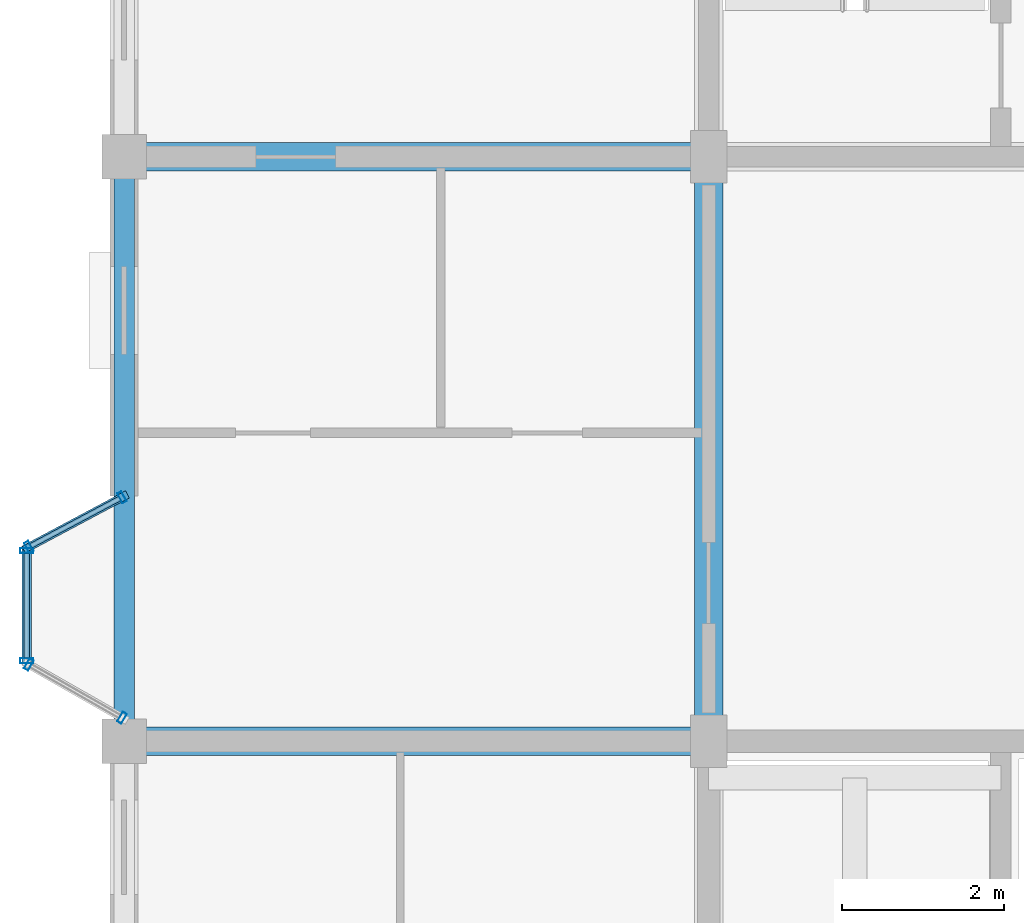
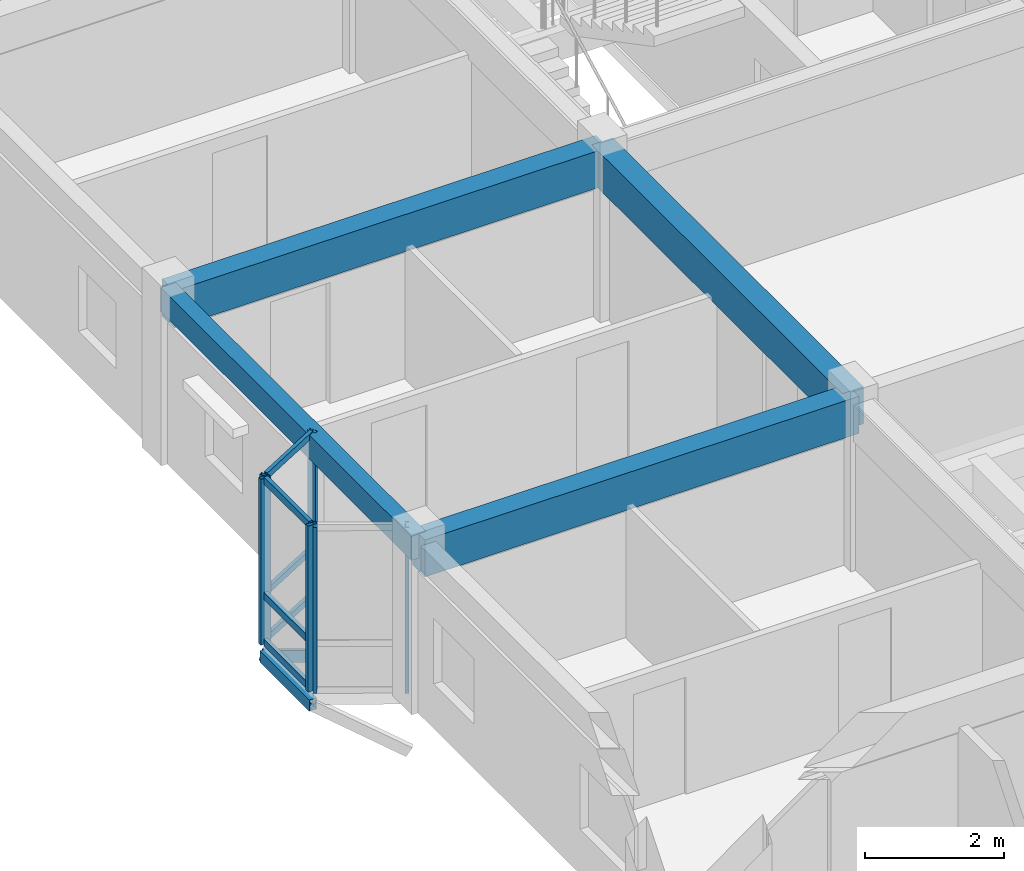
# One storey, part 17 of 77: 14 members, 4 beams, 3 elements without a shape of their own.
"""IFC4 building model written with IfcOpenShell, lengths in metres."""

from ifc_helpers import new_model, si_unit, direction, frame, origin, origin_2d, place, context, subcontext, project, spatial, rectangle, hollow_rectangle, extrude, material, layer, layer_set, material_profile, profile_set, type_object, element, aggregate, save


model = new_model("IFC4")

# Units and contexts
model_context = context("Model", 3, precision=1e-05, world=origin(), true_north=direction((0.0, 1.0)))
body_context = subcontext(model_context, "Body", "Model", "MODEL_VIEW")
ifc_project = project(units=[si_unit("LENGTHUNIT", "METRE"), si_unit("AREAUNIT", "SQUARE_METRE"), si_unit("VOLUMEUNIT", "CUBIC_METRE"), si_unit("PLANEANGLEUNIT", "RADIAN"), si_unit("MASSUNIT", "GRAM", prefix="KILO"), si_unit("THERMODYNAMICTEMPERATUREUNIT", "KELVIN"), si_unit("POWERUNIT", "WATT")], contexts=[model_context])

# Site, building, storey
site_placement = place(None, origin())
site = spatial("IfcSite", under=ifc_project, at=site_placement, CompositionType="ELEMENT")
building_placement = place(site_placement, origin())
building = spatial("IfcBuilding", under=site, at=building_placement, Name="Tavuni Mirador Residences", CompositionType="ELEMENT")
storey_placement = place(building_placement, frame((0.0, 0.0, 10.800048828125)))
storey = spatial("IfcBuildingStorey", under=building, at=storey_placement, Name="L03", CompositionType="ELEMENT", Elevation=10.800048828125)

# Beams
ifc_material_1 = material(Name="Precast concrete C40/50", Category="concrete")
ifc_material_profile_1 = material_profile(ifc_material_1, rectangle(XDim=0.35009765625, YDim=0.64990234375, at=origin_2d()), Name="PC 350x650", Category="concrete")
ifc_profile_set_1 = profile_set([ifc_material_profile_1], Name="Precast concrete C40/50")
beam_type_1 = type_object("IfcBeamType", Name="BT-B650", PredefinedType="BEAM", material=ifc_profile_set_1)
for number, where, z_axis, x_axis, name in (
    (1, (3.60009765625, 79.199951171875, 2.5849609375), (1.0, 0.0, 0.0), (0.0, 1.0, 0.0), "BMX-BLK-B-L03-00-02"),
    (2, (3.60009765625, 86.39990234375, 2.5849609375), (1.0, 0.0, 0.0), (0.0, 1.0, 0.0), "BMX-BLK-B-L03-00-03"),
    (3, (10.800048828125, 79.199951171875, 2.5849609375), (0.0, 1.0, 0.0), (-1.0, 0.0, 0.0), "BMY-BLK-B-L03-01-02"),
):
    element("IfcBeam", number, at=place(storey_placement, frame(where, z_axis=z_axis, x_axis=x_axis)), inside=storey, type_object=beam_type_1, Name=name, PredefinedType="BEAM", context=body_context, shape_type="SweptSolid", body=[
        extrude(rectangle(XDim=0.35009765625, YDim=0.64990234375, at=origin_2d()), origin(), (0.0, 0.0, 1.0), 7.199951171875),
    ])
ifc_material_profile_2 = material_profile(ifc_material_1, rectangle(XDim=0.25, YDim=0.419921875, at=origin_2d()), Name="PC 250x420", Category="concrete")
ifc_profile_set_2 = profile_set([ifc_material_profile_2], Name="Precast concrete C40/50")
beam_type_2 = type_object("IfcBeamType", Name="BT-SP420", PredefinedType="SPANDREL", material=ifc_profile_set_2)
beam_placement = place(storey_placement, frame((3.60009765625, 79.199951171875, 2.699951171875), z_axis=(0.0, 1.0, 0.0), x_axis=(-1.0, 0.0, 0.0)))
element("IfcBeam", 4, at=beam_placement, inside=storey, type_object=beam_type_2, Name="BMY-BLK-B-L03-00-02", PredefinedType="SPANDREL", context=body_context, shape_type="SweptSolid", body=[
    extrude(rectangle(XDim=0.25, YDim=0.419921875, at=origin_2d()), origin(), (0.0, 0.0, 1.0), 7.199951171875),
])

# Curtain wall, members
ifc_material_2 = material(Name="Anodised aluminium", Category="aluminium")
ifc_layer_1 = layer(ifc_material_2, 0.175048828125, Name="Anodised aluminium", Category="aluminium")
ifc_layer_set_1 = layer_set([ifc_layer_1], Name="Anodised aluminium")
curtain_wall_type_1 = type_object("IfcCurtainWallType", Name="CWT-MIR-C", PredefinedType="NOTDEFINED", material=ifc_layer_set_1)
curtain_wall_1_placement = place(storey_placement, origin())
curtain_wall_1 = element("IfcCurtainWall", 5, at=curtain_wall_1_placement, inside=storey, type_object=curtain_wall_type_1, Name="CW-MIR-B-W2-L03-M1", PredefinedType="NOTDEFINED")
ifc_material_profile_3 = material_profile(ifc_material_2, hollow_rectangle(XDim=0.06005859375, YDim=0.139892578125, WallThickness=0.00390625, at=origin_2d()), Name="ALU 60x140x4.0", Category="aluminium")
ifc_profile_set_3 = profile_set([ifc_material_profile_3], Name="Anodised aluminium")
member_type_1 = type_object("IfcMemberType", Name="CWM-140", PredefinedType="MULLION", material=ifc_profile_set_3)
member_1_placement = place(storey_placement, frame((3.573486328125, 82.205810546875, 0.0), z_axis=(0.0, 0.0, 1.0), x_axis=(-0.882352941175, -0.470588235296, 0.0)))
member_1 = element("IfcMember", 6, at=member_1_placement, type_object=member_type_1, Name="CW-03 mullion 1", PredefinedType="MULLION", context=body_context, shape_type="SweptSolid", body=[
    extrude(hollow_rectangle(XDim=0.06005859375, YDim=0.139892578125, WallThickness=0.00390625, at=origin_2d()), origin(), (0.0, 0.0, 1.0), 2.909912109375),
])
member_2_placement = place(storey_placement, frame((2.426513671875, 81.59423828125, 0.0), z_axis=(0.0, 0.0, 1.0), x_axis=(-0.882352941175, -0.470588235296, 0.0)))
member_2 = element("IfcMember", 7, at=member_2_placement, type_object=member_type_1, Name="CW-03 mullion 2", PredefinedType="MULLION", context=body_context, shape_type="SweptSolid", body=[
    extrude(hollow_rectangle(XDim=0.06005859375, YDim=0.139892578125, WallThickness=0.00390625, at=origin_2d()), origin(), (0.0, 0.0, 1.0), 2.909912109375),
])

ifc_layer_2 = layer(ifc_material_2, 0.1650390625, Name="Anodised aluminium", Category="aluminium")
ifc_layer_set_2 = layer_set([ifc_layer_2], Name="Anodised aluminium")
curtain_wall_type_2 = type_object("IfcCurtainWallType", Name="CWT-MIR-A", PredefinedType="NOTDEFINED", material=ifc_layer_set_2)
curtain_wall_2_placement = place(storey_placement, origin())
curtain_wall_2 = element("IfcCurtainWall", 8, at=curtain_wall_2_placement, inside=storey, type_object=curtain_wall_type_2, Name="CW-MIR-B-W2-L03-M2", PredefinedType="NOTDEFINED")
member_3_placement = place(storey_placement, frame((2.426025390625, 80.14501953125, 0.0), z_axis=(0.0, 0.0, 1.0), x_axis=(0.868465738194, -0.495749192217, 0.0)))
member_3 = element("IfcMember", 9, at=member_3_placement, type_object=member_type_1, Name="CW-01 mullion 1", PredefinedType="MULLION", context=body_context, shape_type="SweptSolid", body=[
    extrude(hollow_rectangle(XDim=0.06005859375, YDim=0.139892578125, WallThickness=0.00390625, at=origin_2d()), origin(), (0.0, 0.0, 1.0), 2.909912109375),
])
member_4_placement = place(storey_placement, frame((3.573974609375, 79.489990234375, 0.0), z_axis=(0.0, 0.0, 1.0), x_axis=(0.868465738194, -0.495749192217, 0.0)))
member_4 = element("IfcMember", 10, at=member_4_placement, type_object=member_type_1, Name="CW-01 mullion 2", PredefinedType="MULLION", context=body_context, shape_type="SweptSolid", body=[
    extrude(hollow_rectangle(XDim=0.06005859375, YDim=0.139892578125, WallThickness=0.00390625, at=origin_2d()), origin(), (0.0, 0.0, 1.0), 2.909912109375),
])
aggregate(curtain_wall_2, [member_3, member_4])

ifc_layer_3 = layer(ifc_material_2, 0.159912109375, Name="Anodised aluminium", Category="aluminium")
ifc_layer_set_3 = layer_set([ifc_layer_3], Name="Anodised aluminium")
curtain_wall_type_3 = type_object("IfcCurtainWallType", Name="CWT-MIR-D", PredefinedType="NOTDEFINED", material=ifc_layer_set_3)
curtain_wall_3_placement = place(storey_placement, origin())
curtain_wall_3 = element("IfcCurtainWall", 11, at=curtain_wall_3_placement, inside=storey, type_object=curtain_wall_type_3, Name="CW-MIR-B-W2-L03-MF", PredefinedType="NOTDEFINED")
ifc_material_profile_4 = material_profile(ifc_material_2, hollow_rectangle(XDim=0.06494140625, YDim=0.1650390625, WallThickness=0.00439453125, at=origin_2d()), Name="ALU 65x165x4.5", Category="aluminium")
ifc_profile_set_4 = profile_set([ifc_material_profile_4], Name="Anodised aluminium")
member_type_2 = type_object("IfcMemberType", Name="CWM-165", PredefinedType="MULLION", material=ifc_profile_set_4)
member_5_placement = place(storey_placement, frame((2.39990234375, 81.547607421875, 0.0), z_axis=(0.0, 0.0, 1.0), x_axis=(0.0, -1.0, 0.0)))
member_5 = element("IfcMember", 12, at=member_5_placement, type_object=member_type_2, Name="CW-04 mullion 1", PredefinedType="MULLION", context=body_context, shape_type="SweptSolid", body=[
    extrude(hollow_rectangle(XDim=0.06494140625, YDim=0.1650390625, WallThickness=0.00439453125, at=origin_2d()), origin(), (0.0, 0.0, 1.0), 2.909912109375),
])
member_6_placement = place(storey_placement, frame((2.39990234375, 80.1923828125, 0.0), z_axis=(0.0, 0.0, 1.0), x_axis=(0.0, -1.0, 0.0)))
member_6 = element("IfcMember", 13, at=member_6_placement, type_object=member_type_2, Name="CW-04 mullion 2", PredefinedType="MULLION", context=body_context, shape_type="SweptSolid", body=[
    extrude(hollow_rectangle(XDim=0.06494140625, YDim=0.1650390625, WallThickness=0.00439453125, at=origin_2d()), origin(), (0.0, 0.0, 1.0), 2.909912109375),
])

# Member
ifc_material_profile_5 = material_profile(ifc_material_2, hollow_rectangle(XDim=0.06005859375, YDim=0.110107421875, WallThickness=0.00390625, at=origin_2d()), Name="ALU 60x110x4.0", Category="aluminium")
ifc_profile_set_5 = profile_set([ifc_material_profile_5], Name="Anodised aluminium")
member_type_3 = type_object("IfcMemberType", Name="CWT-110", PredefinedType="USERDEFINED", material=ifc_profile_set_5)
member_7_placement = place(storey_placement, frame((3.547119140625, 82.191650390625, 0.030029296875), z_axis=(-0.882385637708, -0.470526924168, 0.0), x_axis=(0.470526924168, -0.882385637708, 0.0)))
member_7 = element("IfcMember", 14, at=member_7_placement, type_object=member_type_3, Name="CW-03 transom 1.1", ObjectType="TRANSOM", PredefinedType="USERDEFINED", context=body_context, shape_type="SweptSolid", body=[
    extrude(hollow_rectangle(XDim=0.06005859375, YDim=0.110107421875, WallThickness=0.00390625, at=origin_2d()), origin(), (0.0, 0.0, 1.0), 1.239990234375),
])

member_8_placement = place(storey_placement, frame((3.547119140625, 82.191650390625, 0.849853515625), z_axis=(-0.882385637708, -0.470526924168, 0.0), x_axis=(0.470526924168, -0.882385637708, 0.0)))
member_8 = element("IfcMember", 15, at=member_8_placement, type_object=member_type_3, Name="CW-03 transom 1.2", ObjectType="TRANSOM", PredefinedType="USERDEFINED", context=body_context, shape_type="SweptSolid", body=[
    extrude(hollow_rectangle(XDim=0.06005859375, YDim=0.110107421875, WallThickness=0.00390625, at=origin_2d()), origin(), (0.0, 0.0, 1.0), 1.239990234375),
])

member_9_placement = place(storey_placement, frame((3.547119140625, 82.191650390625, 2.8798828125), z_axis=(-0.882385637708, -0.470526924168, 0.0), x_axis=(0.470526924168, -0.882385637708, 0.0)))
member_9 = element("IfcMember", 16, at=member_9_placement, type_object=member_type_3, Name="CW-03 transom 1.3", ObjectType="TRANSOM", PredefinedType="USERDEFINED", context=body_context, shape_type="SweptSolid", body=[
    extrude(hollow_rectangle(XDim=0.06005859375, YDim=0.110107421875, WallThickness=0.00390625, at=origin_2d()), origin(), (0.0, 0.0, 1.0), 1.239990234375),
])

aggregate(curtain_wall_1, [member_1, member_2, member_7, member_8, member_9])

ifc_material_profile_6 = material_profile(ifc_material_2, hollow_rectangle(XDim=0.06494140625, YDim=0.125, WallThickness=0.00439453125, at=origin_2d()), Name="ALU 65x125x4.5", Category="aluminium")
ifc_profile_set_6 = profile_set([ifc_material_profile_6], Name="Anodised aluminium")
member_type_4 = type_object("IfcMemberType", Name="CWT-125", PredefinedType="USERDEFINED", material=ifc_profile_set_6)
member_10_placement = place(storey_placement, frame((2.39990234375, 81.514892578125, 0.032470703125), z_axis=(0.0, -1.0, 0.0), x_axis=(1.0, 0.0, 0.0)))
member_10 = element("IfcMember", 17, at=member_10_placement, type_object=member_type_4, Name="CW-04 transom 1.1", ObjectType="TRANSOM", PredefinedType="USERDEFINED", context=body_context, shape_type="SweptSolid", body=[
    extrude(hollow_rectangle(XDim=0.06494140625, YDim=0.125, WallThickness=0.00439453125, at=origin_2d()), origin(), (0.0, 0.0, 1.0), 1.289794921875),
])

member_11_placement = place(storey_placement, frame((2.39990234375, 81.514892578125, 0.849853515625), z_axis=(0.0, -1.0, 0.0), x_axis=(1.0, 0.0, 0.0)))
member_11 = element("IfcMember", 18, at=member_11_placement, type_object=member_type_4, Name="CW-04 transom 1.2", ObjectType="TRANSOM", PredefinedType="USERDEFINED", context=body_context, shape_type="SweptSolid", body=[
    extrude(hollow_rectangle(XDim=0.06494140625, YDim=0.125, WallThickness=0.00439453125, at=origin_2d()), origin(), (0.0, 0.0, 1.0), 1.289794921875),
])

member_12_placement = place(storey_placement, frame((2.39990234375, 81.514892578125, 2.87744140625), z_axis=(0.0, -1.0, 0.0), x_axis=(1.0, 0.0, 0.0)))
member_12 = element("IfcMember", 19, at=member_12_placement, type_object=member_type_4, Name="CW-04 transom 1.3", ObjectType="TRANSOM", PredefinedType="USERDEFINED", context=body_context, shape_type="SweptSolid", body=[
    extrude(hollow_rectangle(XDim=0.06494140625, YDim=0.125, WallThickness=0.00439453125, at=origin_2d()), origin(), (0.0, 0.0, 1.0), 1.289794921875),
])

aggregate(curtain_wall_3, [member_5, member_6, member_10, member_11, member_12])

# Members
ifc_material_3 = material(Name="Structural steel S355", Category="steel")
ifc_material_profile_7 = material_profile(ifc_material_3, hollow_rectangle(XDim=0.10009765625, YDim=0.179931640625, WallThickness=0.008056640625, at=origin_2d()), Name="RHS 180x100x8.0", Category="steel")
ifc_profile_set_7 = profile_set([ifc_material_profile_7], Name="Structural steel S355")
member_type_5 = type_object("IfcMemberType", Name="MT-BR-RHS180", PredefinedType="BRACE", material=ifc_profile_set_7)
member_13_placement = place(storey_placement, frame((3.60009765625, 82.219970703125, -1.050048828125), z_axis=(-0.758141823808, -0.404208649349, 0.511699465296), x_axis=(0.470467115558, -0.882417527692, 0.0)))
element("IfcMember", 20, at=member_13_placement, inside=storey, type_object=member_type_5, Name="MBRK-MIR-B-W2-L03-2", PredefinedType="BRACE", context=body_context, shape_type="SweptSolid", body=[
    extrude(hollow_rectangle(XDim=0.10009765625, YDim=0.179931640625, WallThickness=0.008056640625, at=origin_2d()), origin(), (0.0, 0.0, 1.0), 1.5830078125),
])
ifc_material_profile_8 = material_profile(ifc_material_3, hollow_rectangle(XDim=0.1201171875, YDim=0.199951171875, WallThickness=0.010009765625, at=origin_2d()), Name="RHS 200x120x10.0", Category="steel")
ifc_profile_set_8 = profile_set([ifc_material_profile_8], Name="Structural steel S355")
member_type_6 = type_object("IfcMemberType", Name="MT-ST-RHS200", PredefinedType="STRUT", material=ifc_profile_set_8)
member_14_placement = place(storey_placement, frame((2.39990234375, 80.159912109375, -0.239990234375), z_axis=(0.0, 1.0, 0.0), x_axis=(-1.0, 0.0, 0.0)))
element("IfcMember", 21, at=member_14_placement, inside=storey, type_object=member_type_6, Name="MRIM-MIR-B-W2-L03", PredefinedType="STRUT", context=body_context, shape_type="SweptSolid", body=[
    extrude(hollow_rectangle(XDim=0.1201171875, YDim=0.199951171875, WallThickness=0.010009765625, at=origin_2d()), origin(), (0.0, 0.0, 1.0), 1.420166015625),
])

save(model, "model.ifc")
